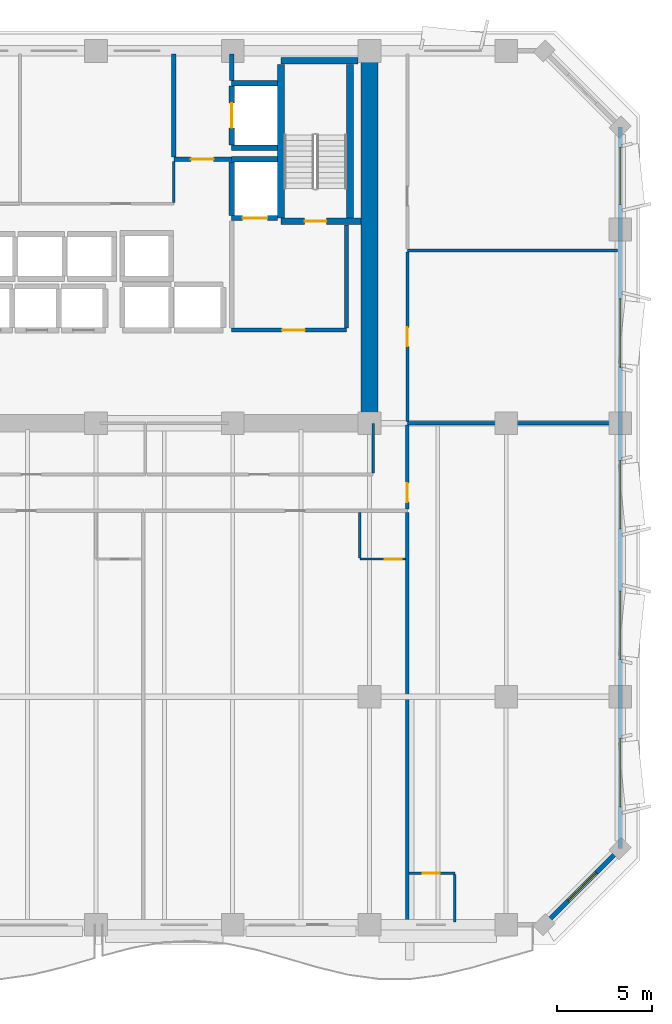
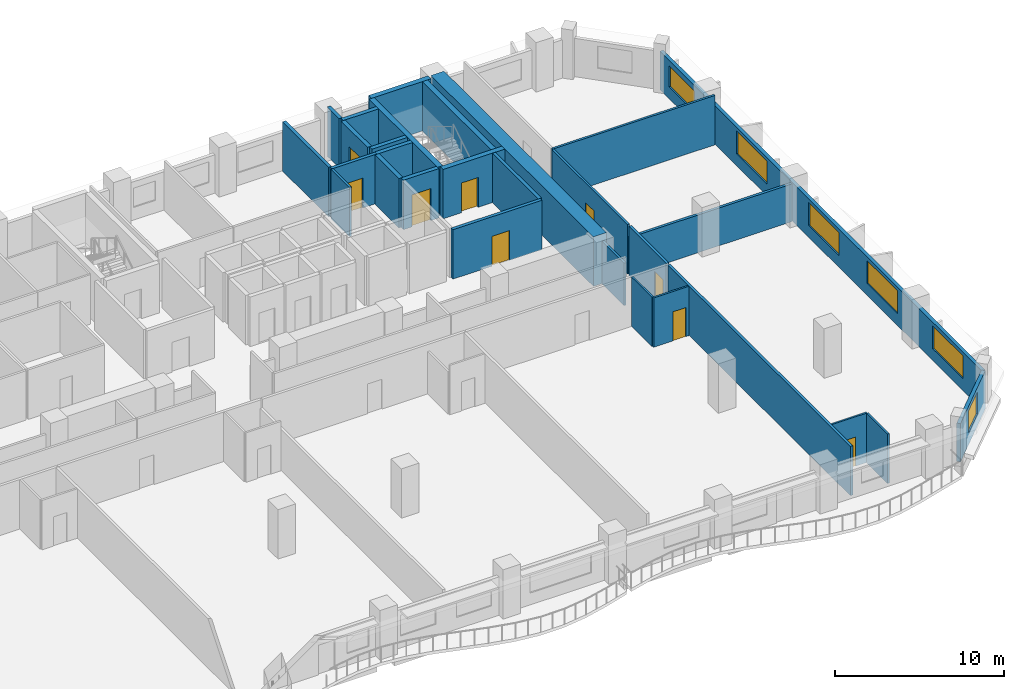
# One storey, part 8 of 14: 29 walls, 9 doors, 6 windows, 15 openings.
"""IFC4 building model written with IfcOpenShell, lengths in metres."""

from ifc_helpers import new_model, si_unit, direction, frame, frame_2d, origin, place, context, subcontext, project, spatial, rectangle, extrude, material, layer, layer_set, type_object, element, fill, save


model = new_model("IFC4")

# Units and contexts
model_context = context("Model", 3, precision=1e-05, world=origin(), true_north=direction((0.0, 1.0)))
body_context = subcontext(model_context, "Body", "Model", "MODEL_VIEW")
ifc_project = project(units=[si_unit("LENGTHUNIT", "METRE"), si_unit("AREAUNIT", "SQUARE_METRE"), si_unit("VOLUMEUNIT", "CUBIC_METRE"), si_unit("PLANEANGLEUNIT", "RADIAN"), si_unit("MASSUNIT", "GRAM", prefix="KILO")], contexts=[model_context])

# Site, building, storey
site_placement = place(None, origin())
site = spatial("IfcSite", under=ifc_project, at=site_placement, CompositionType="ELEMENT")
building_placement = place(site_placement, origin())
building = spatial("IfcBuilding", under=site, at=building_placement, Name="Kaelvorn Grand Hotel", CompositionType="ELEMENT")
storey_placement = place(building_placement, frame((0.0, 0.0, 220.550048828125)))
storey = spatial("IfcBuildingStorey", under=building, at=storey_placement, Name="L54", CompositionType="ELEMENT", Elevation=220.550048828125)

# Wall
ifc_material_1 = material(Name="Concrete C60/75", Category="concrete")
ifc_layer_1 = layer(ifc_material_1, 0.89990234375)
ifc_layer_set_1 = layer_set([ifc_layer_1], Name="Concrete C60/75")
wall_type_1 = type_object("IfcWallType", Name="WL-CORE-900-C60", PredefinedType="SHEAR", material=ifc_layer_set_1)
wall_1_placement = place(storey_placement, frame((67.800048828125, 29.39990234375, 0.0), z_axis=(0.0, 0.0, 1.0), x_axis=(0.0, 1.0, 0.0)))
element("IfcWall", 1, at=wall_1_placement, inside=storey, type_object=wall_type_1, Name="L54 Rear-Core East Shear Wall", PredefinedType="SHEAR", context=body_context, shape_type="SweptSolid", body=[
    extrude(rectangle(XDim=19.2001953125, YDim=0.89990234375, at=frame_2d((9.60009765625, 0.0))), origin(), (0.0, 0.0, 1.0), 3.56005859375),
])

# Wall, opening, window
ifc_material_2 = material(Name="Concrete C40/50", Category="concrete")
ifc_layer_2 = layer(ifc_material_2, 0.239990234375)
ifc_layer_set_2 = layer_set([ifc_layer_2], Name="Concrete C40/50")
wall_type_2 = type_object("IfcWallType", Name="WL-EXT-240-C40", PredefinedType="SOLIDWALL", material=ifc_layer_set_2)
wall_2_placement = place(storey_placement, frame((77.0, 3.0, 0.0), z_axis=(0.0, 0.0, 1.0), x_axis=(0.707106781187, 0.707106781187, 0.0)))
wall_2 = element("IfcWall", 2, at=wall_2_placement, inside=storey, type_object=wall_type_2, Name="L54 Exterior Architectural Concrete Wall 02", PredefinedType="SOLIDWALL", context=body_context, shape_type="SweptSolid", body=[
    extrude(rectangle(XDim=5.65673828125, YDim=0.239990234375, at=frame_2d((2.828369140625, 0.0))), origin(), (0.0, 0.0, 1.0), 2.760009765625),
])
opening_1_placement = place(wall_2_placement, frame((1.7783203125, 0.0, 0.85009765625)))
opening_1 = element("IfcOpeningElement", 3, at=opening_1_placement, cuts=wall_2, Name="Opening W7", PredefinedType="OPENING", context=body_context, shape_type="SweptSolid", body=[
    extrude(rectangle(XDim=2.10009765625, YDim=1.60009765625, at=frame_2d((1.050048828125, 0.800048828125))), frame((0.0, 0.1298828125, 0.0), z_axis=(0.0, -1.0, 0.0), x_axis=(1.0, 0.0, 0.0)), (0.0, 0.0, 1.0), 0.260009765625),
])
ifc_material_3 = material(Name="Laminated Low-E Glass", Category="glass")
window_type_1 = type_object("IfcWindowType", Name="WIN-CHM-2100x1600", PartitioningType="SINGLE_PANEL", PredefinedType="WINDOW", material=ifc_material_3)
window_1_placement = place(opening_1_placement, origin())
window_1 = element("IfcWindow", 4, at=window_1_placement, inside=storey, type_object=window_type_1, Name="L54 Chamfered 45-Degree Corner Window SE", OverallHeight=1.60009765625, OverallWidth=2.10009765625, PartitioningType="SINGLE_PANEL", PredefinedType="WINDOW", context=body_context, shape_type="SweptSolid", body=[
    extrude(rectangle(XDim=2.10009765625, YDim=1.60009765625, at=frame_2d((1.050048828125, 0.800048828125))), frame((0.0, 0.030029296875, 0.0), z_axis=(0.0, -1.0, 0.0), x_axis=(1.0, 0.0, 0.0)), (0.0, 0.0, 1.0), 0.06005859375),
])
fill(opening_1, window_1)

# Wall, openings, windows
wall_3_placement = place(storey_placement, frame((81.0, 7.0, 0.0), z_axis=(0.0, 0.0, 1.0), x_axis=(0.0, 1.0, 0.0)))
wall_3 = element("IfcWall", 5, at=wall_3_placement, inside=storey, type_object=wall_type_2, Name="L54 Exterior Architectural Concrete Wall 03", PredefinedType="SOLIDWALL", context=body_context, shape_type="SweptSolid", body=[
    extrude(rectangle(XDim=38.0, YDim=0.239990234375, at=frame_2d((19.0, 0.0))), origin(), (0.0, 0.0, 1.0), 2.760009765625),
])
opening_2_placement = place(wall_3_placement, frame((2.199951171875, 0.0, 0.85009765625)))
opening_2 = element("IfcOpeningElement", 6, at=opening_2_placement, cuts=wall_3, Name="Opening W3", PredefinedType="OPENING", context=body_context, shape_type="SweptSolid", body=[
    extrude(rectangle(XDim=3.60009765625, YDim=1.64990234375, at=frame_2d((1.800048828125, 0.824951171875))), frame((0.0, 0.1298828125, 0.0), z_axis=(0.0, -1.0, 0.0), x_axis=(1.0, 0.0, 0.0)), (0.0, 0.0, 1.0), 0.260009765625),
])
opening_3_placement = place(wall_3_placement, frame((9.965087890625, 0.0, 0.85009765625)))
opening_3 = element("IfcOpeningElement", 7, at=opening_3_placement, cuts=wall_3, Name="Opening W3", PredefinedType="OPENING", context=body_context, shape_type="SweptSolid", body=[
    extrude(rectangle(XDim=3.60009765625, YDim=1.64990234375, at=frame_2d((1.800048828125, 0.824951171875))), frame((0.0, 0.1298828125, 0.0), z_axis=(0.0, -1.0, 0.0), x_axis=(1.0, 0.0, 0.0)), (0.0, 0.0, 1.0), 0.260009765625),
])
opening_4_placement = place(wall_3_placement, frame((16.8349609375, 0.0, 0.85009765625)))
opening_4 = element("IfcOpeningElement", 8, at=opening_4_placement, cuts=wall_3, Name="Opening W3", PredefinedType="OPENING", context=body_context, shape_type="SweptSolid", body=[
    extrude(rectangle(XDim=3.60009765625, YDim=1.64990234375, at=frame_2d((1.800048828125, 0.824951171875))), frame((0.0, 0.1298828125, 0.0), z_axis=(0.0, -1.0, 0.0), x_axis=(1.0, 0.0, 0.0)), (0.0, 0.0, 1.0), 0.260009765625),
])
opening_5_placement = place(wall_3_placement, frame((25.35009765625, 0.0, 0.85009765625)))
opening_5 = element("IfcOpeningElement", 9, at=opening_5_placement, cuts=wall_3, Name="Opening W3", PredefinedType="OPENING", context=body_context, shape_type="SweptSolid", body=[
    extrude(rectangle(XDim=3.60009765625, YDim=1.64990234375, at=frame_2d((1.800048828125, 0.824951171875))), frame((0.0, 0.1298828125, 0.0), z_axis=(0.0, -1.0, 0.0), x_axis=(1.0, 0.0, 0.0)), (0.0, 0.0, 1.0), 0.260009765625),
])
opening_6_placement = place(wall_3_placement, frame((33.9150390625, 0.0, 0.85009765625)))
opening_6 = element("IfcOpeningElement", 10, at=opening_6_placement, cuts=wall_3, Name="Opening W5", PredefinedType="OPENING", context=body_context, shape_type="SweptSolid", body=[
    extrude(rectangle(XDim=3.0, YDim=1.5, at=frame_2d((1.5, 0.75))), frame((0.0, 0.1298828125, 0.0), z_axis=(0.0, -1.0, 0.0), x_axis=(1.0, 0.0, 0.0)), (0.0, 0.0, 1.0), 0.260009765625),
])
window_type_2 = type_object("IfcWindowType", Name="WIN-NTH-3000x1500", PartitioningType="SINGLE_PANEL", PredefinedType="WINDOW", material=ifc_material_3)
window_2_placement = place(opening_6_placement, origin())
window_2 = element("IfcWindow", 11, at=window_2_placement, inside=storey, type_object=window_type_2, Name="L54 E Wing Tilted-Frame Ribbon Window E05", OverallHeight=1.5, OverallWidth=3.0, PartitioningType="SINGLE_PANEL", PredefinedType="WINDOW", context=body_context, shape_type="SweptSolid", body=[
    extrude(rectangle(XDim=3.0, YDim=1.5, at=frame_2d((1.5, 0.75))), frame((0.0, 0.030029296875, 0.0), z_axis=(0.0, -1.0, 0.0), x_axis=(1.0, 0.0, 0.0)), (0.0, 0.0, 1.0), 0.06005859375),
])
fill(opening_6, window_2)
window_type_3 = type_object("IfcWindowType", Name="WIN-RIB-3600x1750", PartitioningType="SINGLE_PANEL", PredefinedType="WINDOW", material=ifc_material_3)
window_3_placement = place(opening_2_placement, origin())
window_3 = element("IfcWindow", 12, at=window_3_placement, inside=storey, type_object=window_type_3, Name="L54 E Wing Tilted-Frame Ribbon Window E01", OverallHeight=1.64990234375, OverallWidth=3.60009765625, PartitioningType="SINGLE_PANEL", PredefinedType="WINDOW", context=body_context, shape_type="SweptSolid", body=[
    extrude(rectangle(XDim=3.60009765625, YDim=1.64990234375, at=frame_2d((1.800048828125, 0.824951171875))), frame((0.0, 0.030029296875, 0.0), z_axis=(0.0, -1.0, 0.0), x_axis=(1.0, 0.0, 0.0)), (0.0, 0.0, 1.0), 0.06005859375),
])
fill(opening_2, window_3)
window_4_placement = place(opening_3_placement, origin())
window_4 = element("IfcWindow", 13, at=window_4_placement, inside=storey, type_object=window_type_3, Name="L54 E Wing Tilted-Frame Ribbon Window E02", OverallHeight=1.64990234375, OverallWidth=3.60009765625, PartitioningType="SINGLE_PANEL", PredefinedType="WINDOW", context=body_context, shape_type="SweptSolid", body=[
    extrude(rectangle(XDim=3.60009765625, YDim=1.64990234375, at=frame_2d((1.800048828125, 0.824951171875))), frame((0.0, 0.030029296875, 0.0), z_axis=(0.0, -1.0, 0.0), x_axis=(1.0, 0.0, 0.0)), (0.0, 0.0, 1.0), 0.06005859375),
])
fill(opening_3, window_4)
window_5_placement = place(opening_4_placement, origin())
window_5 = element("IfcWindow", 14, at=window_5_placement, inside=storey, type_object=window_type_3, Name="L54 E Wing Tilted-Frame Ribbon Window E03", OverallHeight=1.64990234375, OverallWidth=3.60009765625, PartitioningType="SINGLE_PANEL", PredefinedType="WINDOW", context=body_context, shape_type="SweptSolid", body=[
    extrude(rectangle(XDim=3.60009765625, YDim=1.64990234375, at=frame_2d((1.800048828125, 0.824951171875))), frame((0.0, 0.030029296875, 0.0), z_axis=(0.0, -1.0, 0.0), x_axis=(1.0, 0.0, 0.0)), (0.0, 0.0, 1.0), 0.06005859375),
])
fill(opening_4, window_5)
window_6_placement = place(opening_5_placement, origin())
window_6 = element("IfcWindow", 15, at=window_6_placement, inside=storey, type_object=window_type_3, Name="L54 E Wing Tilted-Frame Ribbon Window E04", OverallHeight=1.64990234375, OverallWidth=3.60009765625, PartitioningType="SINGLE_PANEL", PredefinedType="WINDOW", context=body_context, shape_type="SweptSolid", body=[
    extrude(rectangle(XDim=3.60009765625, YDim=1.64990234375, at=frame_2d((1.800048828125, 0.824951171875))), frame((0.0, 0.030029296875, 0.0), z_axis=(0.0, -1.0, 0.0), x_axis=(1.0, 0.0, 0.0)), (0.0, 0.0, 1.0), 0.06005859375),
])
fill(opening_5, window_6)

# Wall, opening, door
ifc_material_4 = material(Name="Moisture-Resistant Tile & Stud Board")
ifc_layer_3 = layer(ifc_material_4, 0.125)
ifc_layer_set_3 = layer_set([ifc_layer_3], Name="Moisture-Resistant Tile & Stud Board")
wall_type_3 = type_object("IfcWallType", Name="WL-PART-125-WET", PredefinedType="PARTITIONING", material=ifc_layer_set_3)
wall_4_placement = place(storey_placement, frame((67.300048828125, 22.25, 0.0), z_axis=(0.0, 0.0, 1.0), x_axis=(1.0, 0.0, 0.0)))
wall_4 = element("IfcWall", 16, at=wall_4_placement, inside=storey, type_object=wall_type_3, Name="L54 En-suite Bathroom L54-04 S Partition", PredefinedType="PARTITIONING", context=body_context, shape_type="SweptSolid", body=[
    extrude(rectangle(XDim=2.405029296875, YDim=0.125, at=frame_2d((1.20263671875, 0.0))), origin(), (0.0, 0.0, 1.0), 3.56005859375),
])
opening_7_placement = place(wall_4_placement, frame((1.300048828125, 0.0, 0.0)))
opening_7 = element("IfcOpeningElement", 17, at=opening_7_placement, cuts=wall_4, Name="Opening DI4", PredefinedType="OPENING", context=body_context, shape_type="SweptSolid", body=[
    extrude(rectangle(XDim=0.89990234375, YDim=2.10009765625, at=frame_2d((0.449951171875, 1.050048828125))), frame((0.0, 0.072509765625, 0.0), z_axis=(0.0, -1.0, 0.0), x_axis=(1.0, 0.0, 0.0)), (0.0, 0.0, 1.0), 0.14501953125),
])
ifc_material_5 = material(Name="Timber Veneer Leaf", Category="wood")
door_type_1 = type_object("IfcDoorType", Name="DR-INT-BATH-900x2100", OperationType="NOTDEFINED", PredefinedType="DOOR", material=ifc_material_5)
door_1_placement = place(opening_7_placement, origin())
door_1 = element("IfcDoor", 18, at=door_1_placement, inside=storey, type_object=door_type_1, Name="L54 En-suite Bathroom L54-04 Door", OperationType="SINGLE_SWING_LEFT", OverallHeight=2.10009765625, OverallWidth=0.89990234375, PredefinedType="DOOR", context=body_context, shape_type="SweptSolid", body=[
    extrude(rectangle(XDim=0.89990234375, YDim=2.10009765625, at=frame_2d((0.449951171875, 1.050048828125))), frame((0.0, 0.02490234375, 0.0), z_axis=(0.0, -1.0, 0.0), x_axis=(1.0, 0.0, 0.0)), (0.0, 0.0, 1.0), 0.050048828125),
])
fill(opening_7, door_1)

# Wall
wall_5_placement = place(storey_placement, frame((67.300048828125, 22.3173828125, 0.0), z_axis=(0.0, 0.0, 1.0), x_axis=(0.0, 1.0, 0.0)))
element("IfcWall", 19, at=wall_5_placement, inside=storey, type_object=wall_type_3, Name="L54 En-suite Bathroom L54-04 W Partition", PredefinedType="PARTITIONING", context=body_context, shape_type="SweptSolid", body=[
    extrude(rectangle(XDim=2.3876953125, YDim=0.125, at=frame_2d((1.19384765625, 0.0))), origin(), (0.0, 0.0, 1.0), 3.56005859375),
])

# Wall, opening, door
wall_6_placement = place(storey_placement, frame((69.89501953125, 5.699951171875, 0.0), z_axis=(0.0, 0.0, 1.0), x_axis=(1.0, 0.0, 0.0)))
wall_6 = element("IfcWall", 20, at=wall_6_placement, inside=storey, type_object=wall_type_3, Name="L54 En-suite Bathroom L54-06 N Partition", PredefinedType="PARTITIONING", context=body_context, shape_type="SweptSolid", body=[
    extrude(rectangle(XDim=2.405029296875, YDim=0.125, at=frame_2d((1.20263671875, 0.0))), origin(), (0.0, 0.0, 1.0), 3.56005859375),
])
opening_8_placement = place(wall_6_placement, frame((0.705078125, 0.0, 0.0)))
opening_8 = element("IfcOpeningElement", 21, at=opening_8_placement, cuts=wall_6, Name="Opening DI4", PredefinedType="OPENING", context=body_context, shape_type="SweptSolid", body=[
    extrude(rectangle(XDim=0.89990234375, YDim=2.10009765625, at=frame_2d((0.449951171875, 1.050048828125))), frame((0.0, 0.072509765625, 0.0), z_axis=(0.0, -1.0, 0.0), x_axis=(1.0, 0.0, 0.0)), (0.0, 0.0, 1.0), 0.14501953125),
])
door_2_placement = place(opening_8_placement, origin())
door_2 = element("IfcDoor", 22, at=door_2_placement, inside=storey, type_object=door_type_1, Name="L54 En-suite Bathroom L54-06 Door", OperationType="SINGLE_SWING_LEFT", OverallHeight=2.10009765625, OverallWidth=0.89990234375, PredefinedType="DOOR", context=body_context, shape_type="SweptSolid", body=[
    extrude(rectangle(XDim=0.89990234375, YDim=2.10009765625, at=frame_2d((0.449951171875, 1.050048828125))), frame((0.0, 0.02490234375, 0.0), z_axis=(0.0, -1.0, 0.0), x_axis=(1.0, 0.0, 0.0)), (0.0, 0.0, 1.0), 0.050048828125),
])
fill(opening_8, door_2)

# Walls
wall_7_placement = place(storey_placement, frame((72.300048828125, 3.14990234375, 0.0), z_axis=(0.0, 0.0, 1.0), x_axis=(0.0, 1.0, 0.0)))
element("IfcWall", 23, at=wall_7_placement, inside=storey, type_object=wall_type_3, Name="L54 En-suite Bathroom L54-06 E Partition", PredefinedType="PARTITIONING", context=body_context, shape_type="SweptSolid", body=[
    extrude(rectangle(XDim=2.482666015625, YDim=0.125, at=frame_2d((1.2412109375, 0.0))), origin(), (0.0, 0.0, 1.0), 3.56005859375),
])
ifc_material_6 = material(Name="Acoustic Gypsum & Stud Partition")
ifc_layer_4 = layer(ifc_material_6, 0.14990234375)
ifc_layer_set_4 = layer_set([ifc_layer_4], Name="Acoustic Gypsum & Stud Partition")
wall_type_4 = type_object("IfcWallType", Name="WL-PART-150-EI60", PredefinedType="PARTITIONING", material=ifc_layer_set_4)
wall_8_placement = place(storey_placement, frame((57.5, 41.030029296875, 0.0), z_axis=(0.0, 0.0, 1.0), x_axis=(0.0, 1.0, 0.0)))
element("IfcWall", 24, at=wall_8_placement, inside=storey, type_object=wall_type_4, Name="L54 Butler Servery Pantry E Partition", PredefinedType="PARTITIONING", context=body_context, shape_type="SweptSolid", body=[
    extrude(rectangle(XDim=2.155029296875, YDim=0.14990234375, at=frame_2d((1.07763671875, 0.0))), origin(), (0.0, 0.0, 1.0), 3.56005859375),
])
wall_9_placement = place(storey_placement, frame((68.0, 26.780029296875, 0.0), z_axis=(0.0, 0.0, 1.0), x_axis=(0.0, 1.0, 0.0)))
element("IfcWall", 25, at=wall_9_placement, inside=storey, type_object=wall_type_4, Name="L54 Trade Advisory Office E Partition", PredefinedType="PARTITIONING", context=body_context, shape_type="SweptSolid", body=[
    extrude(rectangle(XDim=2.60986328125, YDim=0.14990234375, at=frame_2d((1.304931640625, 0.0))), origin(), (0.0, 0.0, 1.0), 3.06005859375),
])
wall_10_placement = place(storey_placement, frame((69.800048828125, 38.5, 0.0), z_axis=(0.0, 0.0, 1.0), x_axis=(1.0, 0.0, 0.0)))
element("IfcWall", 26, at=wall_10_placement, inside=storey, type_object=wall_type_4, Name="L54 North-East Trade Advisory Office N Partition", PredefinedType="PARTITIONING", context=body_context, shape_type="SweptSolid", body=[
    extrude(rectangle(XDim=11.050048828125, YDim=0.14990234375, at=frame_2d((5.52490234375, 0.0))), origin(), (0.0, 0.0, 1.0), 3.56005859375),
])

# Wall, opening, door
wall_11_placement = place(storey_placement, frame((69.800048828125, 29.4951171875, 0.0), z_axis=(0.0, 0.0, 1.0), x_axis=(0.0, 1.0, 0.0)))
wall_11 = element("IfcWall", 27, at=wall_11_placement, inside=storey, type_object=wall_type_4, Name="L54 North-East Trade Advisory Office W Partition", PredefinedType="PARTITIONING", context=body_context, shape_type="SweptSolid", body=[
    extrude(rectangle(XDim=8.9248046875, YDim=0.14990234375, at=frame_2d((4.46240234375, 0.0))), origin(), (0.0, 0.0, 1.0), 3.56005859375),
])
opening_9_placement = place(wall_11_placement, frame((3.955078125, 0.0, 0.0)))
opening_9 = element("IfcOpeningElement", 28, at=opening_9_placement, cuts=wall_11, Name="Opening DI3", PredefinedType="OPENING", context=body_context, shape_type="SweptSolid", body=[
    extrude(rectangle(XDim=1.0, YDim=2.14990234375, at=frame_2d((0.5, 1.074951171875))), frame((0.0, 0.0849609375, 0.0), z_axis=(0.0, -1.0, 0.0), x_axis=(1.0, 0.0, 0.0)), (0.0, 0.0, 1.0), 0.169921875),
])
ifc_material_7 = material(Name="Timber Veneer Fire Leaf", Category="wood")
door_type_2 = type_object("IfcDoorType", Name="DR-INT-GUEST-1000x2150", OperationType="NOTDEFINED", PredefinedType="DOOR", material=ifc_material_7)
door_3_placement = place(opening_9_placement, origin())
door_3 = element("IfcDoor", 29, at=door_3_placement, inside=storey, type_object=door_type_2, Name="L54 North-East Trade Advisory Office Door", OperationType="SINGLE_SWING_RIGHT", OverallHeight=2.14990234375, OverallWidth=1.0, PredefinedType="DOOR", context=body_context, shape_type="SweptSolid", body=[
    extrude(rectangle(XDim=1.0, YDim=2.14990234375, at=frame_2d((0.5, 1.074951171875))), frame((0.0, 0.02490234375, 0.0), z_axis=(0.0, -1.0, 0.0), x_axis=(1.0, 0.0, 0.0)), (0.0, 0.0, 1.0), 0.050048828125),
])
fill(opening_9, door_3)

# Walls
ifc_layer_5 = layer(ifc_material_6, 0.179931640625)
ifc_layer_set_5 = layer_set([ifc_layer_5], Name="Acoustic Gypsum & Stud Partition")
wall_type_5 = type_object("IfcWallType", Name="WL-PART-180-EI60", PredefinedType="PARTITIONING", material=ifc_layer_set_5)
wall_12_placement = place(storey_placement, frame((69.800048828125, 3.14990234375, 0.0), z_axis=(0.0, 0.0, 1.0), x_axis=(0.0, 1.0, 0.0)))
element("IfcWall", 30, at=wall_12_placement, inside=storey, type_object=wall_type_5, Name="L54 Presidential Sky Suite L54-04 E Partition", PredefinedType="PARTITIONING", context=body_context, shape_type="SweptSolid", body=[
    extrude(rectangle(XDim=21.55517578125, YDim=0.179931640625, at=frame_2d((10.777587890625, 0.0))), origin(), (0.0, 0.0, 1.0), 3.56005859375),
])
wall_13_placement = place(storey_placement, frame((69.800048828125, 29.39990234375, 0.0), z_axis=(0.0, 0.0, 1.0), x_axis=(1.0, 0.0, 0.0)))
element("IfcWall", 31, at=wall_13_placement, inside=storey, type_object=wall_type_5, Name="L54 Presidential Sky Suite L54-06 N Partition", PredefinedType="PARTITIONING", context=body_context, shape_type="SweptSolid", body=[
    extrude(rectangle(XDim=11.050048828125, YDim=0.179931640625, at=frame_2d((5.52490234375, 0.0))), origin(), (0.0, 0.0, 1.0), 2.71923828125),
])

# Wall, opening, door
wall_14_placement = place(storey_placement, frame((69.800048828125, 24.89501953125, 0.0), z_axis=(0.0, 0.0, 1.0), x_axis=(0.0, 1.0, 0.0)))
wall_14 = element("IfcWall", 32, at=wall_14_placement, inside=storey, type_object=wall_type_5, Name="L54 Presidential Sky Suite L54-06 W Partition", PredefinedType="PARTITIONING", context=body_context, shape_type="SweptSolid", body=[
    extrude(rectangle(XDim=4.409912109375, YDim=0.179931640625, at=frame_2d((2.205078125, 0.0))), origin(), (0.0, 0.0, 1.0), 3.56005859375),
])
opening_10_placement = place(wall_14_placement, frame((0.35498046875, 0.0, 0.0)))
opening_10 = element("IfcOpeningElement", 33, at=opening_10_placement, cuts=wall_14, Name="Opening DI3", PredefinedType="OPENING", context=body_context, shape_type="SweptSolid", body=[
    extrude(rectangle(XDim=1.0, YDim=2.14990234375, at=frame_2d((0.5, 1.074951171875))), frame((0.0, 0.10009765625, 0.0), z_axis=(0.0, -1.0, 0.0), x_axis=(1.0, 0.0, 0.0)), (0.0, 0.0, 1.0), 0.199951171875),
])
door_4_placement = place(opening_10_placement, origin())
door_4 = element("IfcDoor", 34, at=door_4_placement, inside=storey, type_object=door_type_2, Name="L54 Presidential Sky Suite L54-06 Door", OperationType="SINGLE_SWING_RIGHT", OverallHeight=2.14990234375, OverallWidth=1.0, PredefinedType="DOOR", context=body_context, shape_type="SweptSolid", body=[
    extrude(rectangle(XDim=1.0, YDim=2.14990234375, at=frame_2d((0.5, 1.074951171875))), frame((0.0, 0.02490234375, 0.0), z_axis=(0.0, -1.0, 0.0), x_axis=(1.0, 0.0, 0.0)), (0.0, 0.0, 1.0), 0.050048828125),
])
fill(opening_10, door_4)

ifc_layer_6 = layer(ifc_material_2, 0.219970703125)
ifc_layer_set_6 = layer_set([ifc_layer_6], Name="Concrete C40/50")
wall_type_6 = type_object("IfcWallType", Name="WL-PART-220-EI120", PredefinedType="PARTITIONING", material=ifc_layer_set_6)
wall_15_placement = place(storey_placement, frame((60.550048828125, 34.300048828125, 0.0), z_axis=(0.0, 0.0, 1.0), x_axis=(1.0, 0.0, 0.0)))
wall_15 = element("IfcWall", 35, at=wall_15_placement, inside=storey, type_object=wall_type_6, Name="L54 Firefighting Lift Lobby 2 S Partition", PredefinedType="PARTITIONING", context=body_context, shape_type="SweptSolid", body=[
    extrude(rectangle(XDim=6.050048828125, YDim=0.219970703125, at=frame_2d((3.02490234375, 0.0))), origin(), (0.0, 0.0, 1.0), 3.56005859375),
])
opening_11_placement = place(wall_15_placement, frame((2.64990234375, 0.0, 0.0)))
opening_11 = element("IfcOpeningElement", 36, at=opening_11_placement, cuts=wall_15, Name="Opening DI2", PredefinedType="OPENING", context=body_context, shape_type="SweptSolid", body=[
    extrude(rectangle(XDim=1.199951171875, YDim=2.14990234375, at=frame_2d((0.60009765625, 1.074951171875))), frame((0.0, 0.1201171875, 0.0), z_axis=(0.0, -1.0, 0.0), x_axis=(1.0, 0.0, 0.0)), (0.0, 0.0, 1.0), 0.239990234375),
])
door_type_3 = type_object("IfcDoorType", Name="DR-INT-FFLOB-1200x2150", OperationType="NOTDEFINED", PredefinedType="DOOR", material=ifc_material_7)
door_5_placement = place(opening_11_placement, origin())
door_5 = element("IfcDoor", 37, at=door_5_placement, inside=storey, type_object=door_type_3, Name="L54 Firefighting Lift Lobby 2 Door", OperationType="SINGLE_SWING_RIGHT", OverallHeight=2.14990234375, OverallWidth=1.199951171875, PredefinedType="DOOR", context=body_context, shape_type="SweptSolid", body=[
    extrude(rectangle(XDim=1.199951171875, YDim=2.14990234375, at=frame_2d((0.60009765625, 1.074951171875))), frame((0.0, 0.02490234375, 0.0), z_axis=(0.0, -1.0, 0.0), x_axis=(1.0, 0.0, 0.0)), (0.0, 0.0, 1.0), 0.050048828125),
])
fill(opening_11, door_5)

# Wall
wall_16_placement = place(storey_placement, frame((66.60009765625, 34.4150390625, 0.0), z_axis=(0.0, 0.0, 1.0), x_axis=(0.0, 1.0, 0.0)))
element("IfcWall", 38, at=wall_16_placement, inside=storey, type_object=wall_type_6, Name="L54 Firefighting Lift Lobby 2 E Partition", PredefinedType="PARTITIONING", context=body_context, shape_type="SweptSolid", body=[
    extrude(rectangle(XDim=5.429931640625, YDim=0.219970703125, at=frame_2d((2.71484375, 0.0))), origin(), (0.0, 0.0, 1.0), 3.56005859375),
])

# Wall, opening, door
wall_17_placement = place(storey_placement, frame((57.5, 43.300048828125, 0.0), z_axis=(0.0, 0.0, 1.0), x_axis=(1.0, 0.0, 0.0)))
wall_17 = element("IfcWall", 39, at=wall_17_placement, inside=storey, type_object=wall_type_6, Name="L54 Service Lift Lobby S Partition", PredefinedType="PARTITIONING", context=body_context, shape_type="SweptSolid", body=[
    extrude(rectangle(XDim=3.0400390625, YDim=0.219970703125, at=frame_2d((1.52001953125, 0.0))), origin(), (0.0, 0.0, 1.0), 3.56005859375),
])
opening_12_placement = place(wall_17_placement, frame((0.89990234375, 0.0, 0.0)))
opening_12 = element("IfcOpeningElement", 40, at=opening_12_placement, cuts=wall_17, Name="Opening DI2", PredefinedType="OPENING", context=body_context, shape_type="SweptSolid", body=[
    extrude(rectangle(XDim=1.199951171875, YDim=2.14990234375, at=frame_2d((0.60009765625, 1.074951171875))), frame((0.0, 0.1201171875, 0.0), z_axis=(0.0, -1.0, 0.0), x_axis=(1.0, 0.0, 0.0)), (0.0, 0.0, 1.0), 0.239990234375),
])
door_6_placement = place(opening_12_placement, origin())
door_6 = element("IfcDoor", 41, at=door_6_placement, inside=storey, type_object=door_type_3, Name="L54 Service Lift Lobby Door", OperationType="SINGLE_SWING_RIGHT", OverallHeight=2.14990234375, OverallWidth=1.199951171875, PredefinedType="DOOR", context=body_context, shape_type="SweptSolid", body=[
    extrude(rectangle(XDim=1.199951171875, YDim=2.14990234375, at=frame_2d((0.60009765625, 1.074951171875))), frame((0.0, 0.02490234375, 0.0), z_axis=(0.0, -1.0, 0.0), x_axis=(1.0, 0.0, 0.0)), (0.0, 0.0, 1.0), 0.050048828125),
])
fill(opening_12, door_6)

# Walls
wall_18_placement = place(storey_placement, frame((57.5, 43.4150390625, 0.0), z_axis=(0.0, 0.0, 1.0), x_axis=(0.0, 1.0, 0.0)))
element("IfcWall", 42, at=wall_18_placement, inside=storey, type_object=wall_type_6, Name="L54 Service Lift Lobby W Partition", PredefinedType="PARTITIONING", context=body_context, shape_type="SweptSolid", body=[
    extrude(rectangle(XDim=5.43505859375, YDim=0.219970703125, at=frame_2d((2.717529296875, 0.0))), origin(), (0.0, 0.0, 1.0), 3.56005859375),
])
wall_19_placement = place(storey_placement, frame((60.550048828125, 47.445068359375, 0.0), z_axis=(0.0, 0.0, 1.0), x_axis=(0.0, 1.0, 0.0)))
element("IfcWall", 43, at=wall_19_placement, inside=storey, type_object=wall_type_6, Name="L54 Service Lift Lobby E Partition", PredefinedType="PARTITIONING", context=body_context, shape_type="SweptSolid", body=[
    extrude(rectangle(XDim=1.405029296875, YDim=0.219970703125, at=frame_2d((0.70263671875, 0.0))), origin(), (0.0, 0.0, 1.0), 3.56005859375),
])

# Wall, opening, door
ifc_material_8 = material(Name="Concrete C50/60", Category="concrete")
ifc_layer_7 = layer(ifc_material_8, 0.280029296875)
ifc_layer_set_7 = layer_set([ifc_layer_7], Name="Concrete C50/60")
wall_type_7 = type_object("IfcWallType", Name="WL-SHAFT-280-C50", PredefinedType="SHEAR", material=ifc_layer_set_7)
wall_20_placement = place(storey_placement, frame((60.550048828125, 40.199951171875, 0.0), z_axis=(0.0, 0.0, 1.0), x_axis=(1.0, 0.0, 0.0)))
wall_20 = element("IfcWall", 44, at=wall_20_placement, inside=storey, type_object=wall_type_7, Name="L54 Lift FFL2 Shaft South Wall", PredefinedType="SHEAR", context=body_context, shape_type="SweptSolid", body=[
    extrude(rectangle(XDim=2.4150390625, YDim=0.280029296875, at=frame_2d((1.20751953125, 0.0))), origin(), (0.0, 0.0, 1.0), 3.56005859375),
])
opening_13_placement = place(wall_20_placement, frame((0.574951171875, 0.0, 0.0)))
opening_13 = element("IfcOpeningElement", 45, at=opening_13_placement, cuts=wall_20, Name="Opening LD-FFL2", PredefinedType="OPENING", context=body_context, shape_type="SweptSolid", body=[
    extrude(rectangle(XDim=1.300048828125, YDim=2.300048828125, at=frame_2d((0.64990234375, 1.14990234375))), frame((0.0, 0.14990234375, 0.0), z_axis=(0.0, -1.0, 0.0), x_axis=(1.0, 0.0, 0.0)), (0.0, 0.0, 1.0), 0.300048828125),
])
ifc_material_9 = material(Name="Stainless Steel", Category="steel")
door_type_4 = type_object("IfcDoorType", Name="DR-LIFT-SERV-1300x2300", OperationType="DOUBLE_DOOR_SLIDING", PredefinedType="DOOR", material=ifc_material_9)
door_7_placement = place(opening_13_placement, origin())
door_7 = element("IfcDoor", 46, at=door_7_placement, inside=storey, type_object=door_type_4, Name="L54 Lift FFL2 Sliding Landing Door LD-FFL2", OperationType="DOUBLE_DOOR_SLIDING", OverallHeight=2.300048828125, OverallWidth=1.300048828125, PredefinedType="DOOR", context=body_context, shape_type="SweptSolid", body=[
    extrude(rectangle(XDim=1.300048828125, YDim=2.300048828125, at=frame_2d((0.64990234375, 1.14990234375))), frame((0.0, 0.02490234375, 0.0), z_axis=(0.0, -1.0, 0.0), x_axis=(1.0, 0.0, 0.0)), (0.0, 0.0, 1.0), 0.050048828125),
])
fill(opening_13, door_7)

# Walls
wall_21_placement = place(storey_placement, frame((60.550048828125, 43.300048828125, 0.0), z_axis=(0.0, 0.0, 1.0), x_axis=(1.0, 0.0, 0.0)))
element("IfcWall", 47, at=wall_21_placement, inside=storey, type_object=wall_type_7, Name="L54 Lift FFL2 Shaft North Wall", PredefinedType="SHEAR", context=body_context, shape_type="SweptSolid", body=[
    extrude(rectangle(XDim=2.4150390625, YDim=0.280029296875, at=frame_2d((1.20751953125, 0.0))), origin(), (0.0, 0.0, 1.0), 3.56005859375),
])
wall_22_placement = place(storey_placement, frame((60.550048828125, 40.344970703125, 0.0), z_axis=(0.0, 0.0, 1.0), x_axis=(0.0, 1.0, 0.0)))
element("IfcWall", 48, at=wall_22_placement, inside=storey, type_object=wall_type_7, Name="L54 Lift FFL2 Shaft West Wall", PredefinedType="SHEAR", context=body_context, shape_type="SweptSolid", body=[
    extrude(rectangle(XDim=2.81005859375, YDim=0.280029296875, at=frame_2d((1.405029296875, 0.0))), origin(), (0.0, 0.0, 1.0), 3.56005859375),
])
for number, where, z_axis, x_axis, name in (
    (49, (60.550048828125, 43.89990234375, 0.0), (0.0, 0.0, 1.0), (1.0, 0.0, 0.0), "L54 Lift SV1 Shaft South Wall"),
    (50, (60.550048828125, 47.300048828125, 0.0), (0.0, 0.0, 1.0), (1.0, 0.0, 0.0), "L54 Lift SV1 Shaft North Wall"),
):
    element("IfcWall", number, at=place(storey_placement, frame(where, z_axis=z_axis, x_axis=x_axis)), inside=storey, type_object=wall_type_7, Name=name, PredefinedType="SHEAR", context=body_context, shape_type="SweptSolid", body=[
        extrude(rectangle(XDim=2.4150390625, YDim=0.280029296875, at=frame_2d((1.20751953125, 0.0))), origin(), (0.0, 0.0, 1.0), 3.56005859375),
    ])

# Wall, opening, door
wall_23_placement = place(storey_placement, frame((60.550048828125, 44.044921875, 0.0), z_axis=(0.0, 0.0, 1.0), x_axis=(0.0, 1.0, 0.0)))
wall_23 = element("IfcWall", 51, at=wall_23_placement, inside=storey, type_object=wall_type_7, Name="L54 Lift SV1 Shaft West Wall", PredefinedType="SHEAR", context=body_context, shape_type="SweptSolid", body=[
    extrude(rectangle(XDim=3.110107421875, YDim=0.280029296875, at=frame_2d((1.55517578125, 0.0))), origin(), (0.0, 0.0, 1.0), 3.56005859375),
])
opening_14_placement = place(wall_23_placement, frame((0.905029296875, 0.0, 0.0)))
opening_14 = element("IfcOpeningElement", 52, at=opening_14_placement, cuts=wall_23, Name="Opening LD-SV1", PredefinedType="OPENING", context=body_context, shape_type="SweptSolid", body=[
    extrude(rectangle(XDim=1.300048828125, YDim=2.300048828125, at=frame_2d((0.64990234375, 1.14990234375))), frame((0.0, 0.14990234375, 0.0), z_axis=(0.0, -1.0, 0.0), x_axis=(1.0, 0.0, 0.0)), (0.0, 0.0, 1.0), 0.300048828125),
])
door_8_placement = place(opening_14_placement, origin())
door_8 = element("IfcDoor", 53, at=door_8_placement, inside=storey, type_object=door_type_4, Name="L54 Lift SV1 Sliding Landing Door LD-SV1", OperationType="DOUBLE_DOOR_SLIDING", OverallHeight=2.300048828125, OverallWidth=1.300048828125, PredefinedType="DOOR", context=body_context, shape_type="SweptSolid", body=[
    extrude(rectangle(XDim=1.300048828125, YDim=2.300048828125, at=frame_2d((0.64990234375, 1.14990234375))), frame((0.0, 0.02490234375, 0.0), z_axis=(0.0, -1.0, 0.0), x_axis=(1.0, 0.0, 0.0)), (0.0, 0.0, 1.0), 0.050048828125),
])
fill(opening_14, door_8)

ifc_layer_8 = layer(ifc_material_1, 0.35009765625)
ifc_layer_set_8 = layer_set([ifc_layer_8], Name="Concrete C60/75")
wall_type_8 = type_object("IfcWallType", Name="WL-SHAFT-350-C60", PredefinedType="SHEAR", material=ifc_layer_set_8)
wall_24_placement = place(storey_placement, frame((63.14501953125, 40.02490234375, 0.0), z_axis=(0.0, 0.0, 1.0), x_axis=(1.0, 0.0, 0.0)))
wall_24 = element("IfcWall", 54, at=wall_24_placement, inside=storey, type_object=wall_type_8, Name="L54 ST3 Stair Shaft South Wall", PredefinedType="SHEAR", context=body_context, shape_type="SweptSolid", body=[
    extrude(rectangle(XDim=4.199951171875, YDim=0.35009765625, at=frame_2d((2.10009765625, 0.0))), origin(), (0.0, 0.0, 1.0), 3.56005859375),
])
opening_15_placement = place(wall_24_placement, frame((1.239990234375, 0.0, 0.0)))
opening_15 = element("IfcOpeningElement", 55, at=opening_15_placement, cuts=wall_24, Name="Opening DI1", PredefinedType="OPENING", context=body_context, shape_type="SweptSolid", body=[
    extrude(rectangle(XDim=1.14990234375, YDim=2.14990234375, at=frame_2d((0.574951171875, 1.074951171875))), frame((0.0, 0.18505859375, 0.0), z_axis=(0.0, -1.0, 0.0), x_axis=(1.0, 0.0, 0.0)), (0.0, 0.0, 1.0), 0.3701171875),
])
door_type_5 = type_object("IfcDoorType", Name="DR-INT-STAIR-1150x2150", OperationType="NOTDEFINED", PredefinedType="DOOR", material=ifc_material_7)
door_9_placement = place(opening_15_placement, origin())
door_9 = element("IfcDoor", 56, at=door_9_placement, inside=storey, type_object=door_type_5, Name="L54 ST3 Exit Stair Fire Door", OperationType="SINGLE_SWING_RIGHT", OverallHeight=2.14990234375, OverallWidth=1.14990234375, PredefinedType="DOOR", context=body_context, shape_type="SweptSolid", body=[
    extrude(rectangle(XDim=1.14990234375, YDim=2.14990234375, at=frame_2d((0.574951171875, 1.074951171875))), frame((0.0, 0.02490234375, 0.0), z_axis=(0.0, -1.0, 0.0), x_axis=(1.0, 0.0, 0.0)), (0.0, 0.0, 1.0), 0.050048828125),
])
fill(opening_15, door_9)

# Walls
wall_25_placement = place(storey_placement, frame((63.14501953125, 48.47509765625, 0.0), z_axis=(0.0, 0.0, 1.0), x_axis=(1.0, 0.0, 0.0)))
element("IfcWall", 57, at=wall_25_placement, inside=storey, type_object=wall_type_8, Name="L54 ST3 Stair Shaft North Wall", PredefinedType="SHEAR", context=body_context, shape_type="SweptSolid", body=[
    extrude(rectangle(XDim=4.050048828125, YDim=0.35009765625, at=frame_2d((2.02490234375, 0.0))), origin(), (0.0, 0.0, 1.0), 3.56005859375),
])
for number, where, z_axis, x_axis, name in (
    (58, (63.14501953125, 40.205078125, 0.0), (0.0, 0.0, 1.0), (0.0, 1.0, 0.0), "L54 ST3 Stair Shaft West Wall"),
    (59, (66.77490234375, 40.205078125, 0.0), (0.0, 0.0, 1.0), (0.0, 1.0, 0.0), "L54 ST3 Stair Shaft East Wall"),
):
    element("IfcWall", number, at=place(storey_placement, frame(where, z_axis=z_axis, x_axis=x_axis)), inside=storey, type_object=wall_type_8, Name=name, PredefinedType="SHEAR", context=body_context, shape_type="SweptSolid", body=[
        extrude(rectangle(XDim=8.08984375, YDim=0.35009765625, at=frame_2d((4.044921875, 0.0))), origin(), (0.0, 0.0, 1.0), 3.56005859375),
    ])

save(model, "model.ifc")
